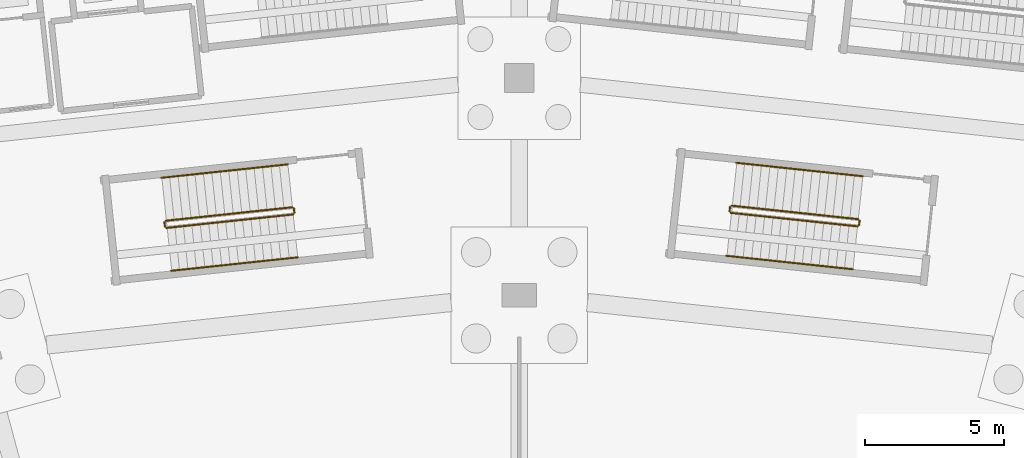
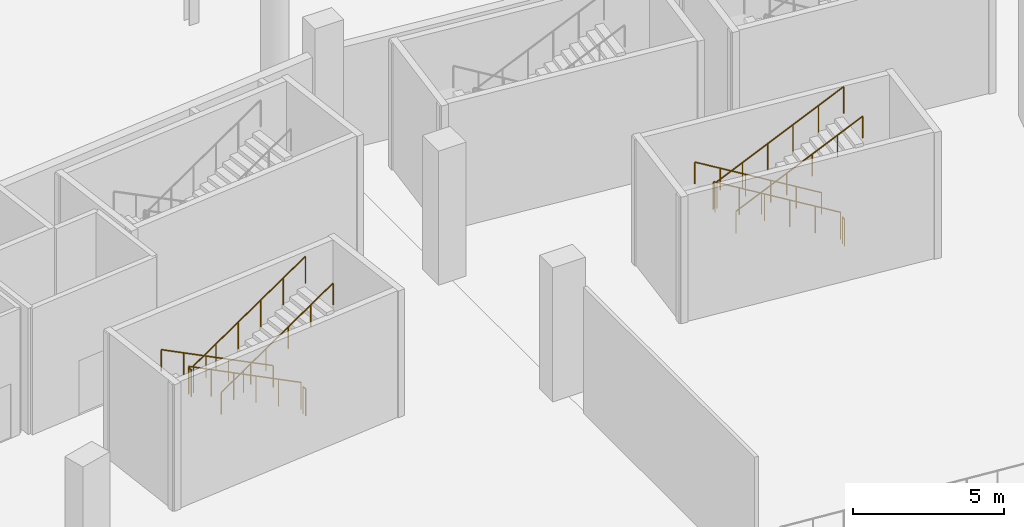
# One storey, part 92 of 103: 12 railings.
"""IFC4 building model written with IfcOpenShell, lengths in metres."""

from ifc_helpers import new_model, si_unit, direction, frame, origin, origin_2d, place, context, subcontext, project, spatial, circle, extrude, material, type_object, element, save


model = new_model("IFC4")

# Units and contexts
model_context = context("Model", 3, precision=1e-05, world=origin(), true_north=direction((0.0, 1.0)))
body_context = subcontext(model_context, "Body", "Model", "MODEL_VIEW")
ifc_project = project(units=[si_unit("LENGTHUNIT", "METRE"), si_unit("AREAUNIT", "SQUARE_METRE"), si_unit("VOLUMEUNIT", "CUBIC_METRE"), si_unit("PLANEANGLEUNIT", "RADIAN"), si_unit("MASSUNIT", "GRAM", prefix="KILO")], contexts=[model_context])

# Site, building, storey
site_placement = place(None, origin())
site = spatial("IfcSite", under=ifc_project, at=site_placement, CompositionType="ELEMENT")
building_placement = place(site_placement, origin())
building = spatial("IfcBuilding", under=site, at=building_placement, Name="Zevraka Park Crest Stadium", CompositionType="ELEMENT")
storey_placement = place(building_placement, origin())
storey = spatial("IfcBuildingStorey", under=building, at=storey_placement, Name="L00", CompositionType="ELEMENT", Elevation=0.0)

# Railings
ifc_material_1 = material(Name="Powder-coated tubular steel stairwell guard", Category="steel")
railing_type_1 = type_object("IfcRailingType", Name="GR03", PredefinedType="GUARDRAIL", material=ifc_material_1)
railing_1_placement = place(storey_placement, frame((124.17333984375, 154.2353515625, 0.168701171875)))
element("IfcRailing", 1, at=railing_1_placement, inside=storey, type_object=railing_type_1, Name="L00 ST35 stair guard 1", PredefinedType="GUARDRAIL", context=body_context, shape_type="SweptSolid", body=[
    extrude(circle(Radius=0.02392578125, at=origin_2d()), frame((0.0, 0.0, 1.076171875), z_axis=(-0.870085191111, 0.092639745581, 0.484117380135), x_axis=(-0.105873624194, -0.994379593365, 0.0)), (0.0, 0.0, 1.0), 5.228515625),
    extrude(circle(Radius=0.02099609375, at=origin_2d()), origin(), (0.0, 0.0, 1.0), 1.052001953125),
    extrude(circle(Radius=0.02099609375, at=origin_2d()), frame((-0.909912109375, 0.096923828125, 0.50634765625)), (0.0, 0.0, 1.0), 1.052001953125),
    extrude(circle(Radius=0.02099609375, at=origin_2d()), frame((-1.81982421875, 0.19384765625, 1.012451171875)), (0.0, 0.0, 1.0), 1.052001953125),
    extrude(circle(Radius=0.02099609375, at=origin_2d()), frame((-2.7294921875, 0.29052734375, 1.518798828125)), (0.0, 0.0, 1.0), 1.052001953125),
    extrude(circle(Radius=0.02099609375, at=origin_2d()), frame((-3.639404296875, 0.387451171875, 2.02490234375)), (0.0, 0.0, 1.0), 1.052001953125),
    extrude(circle(Radius=0.02099609375, at=origin_2d()), frame((-4.54931640625, 0.484375, 2.53125)), (0.0, 0.0, 1.0), 1.052001953125),
])
railing_2_placement = place(storey_placement, frame((119.569091796875, 154.67529296875, 2.699951171875)))
element("IfcRailing", 2, at=railing_2_placement, inside=storey, type_object=railing_type_1, Name="L00 ST35 stair guard 2", PredefinedType="GUARDRAIL", context=body_context, shape_type="SweptSolid", body=[
    extrude(circle(Radius=0.02392578125, at=origin_2d()), frame((0.0, 0.0, 1.076171875), z_axis=(-0.105240535143, -0.994446795843, 0.0), x_axis=(0.994446795843, -0.105240535143, 0.0)), (0.0, 0.0, 1.0), 0.16015625),
    extrude(circle(Radius=0.02099609375, at=origin_2d()), origin(), (0.0, 0.0, 1.0), 1.052001953125),
    extrude(circle(Radius=0.02099609375, at=origin_2d()), frame((-0.016845703125, -0.1591796875, 0.0)), (0.0, 0.0, 1.0), 1.052001953125),
])
railing_3_placement = place(storey_placement, frame((119.5966796875, 154.461181640625, 2.86865234375)))
element("IfcRailing", 3, at=railing_3_placement, inside=storey, type_object=railing_type_1, Name="L00 ST35 stair guard 3", PredefinedType="GUARDRAIL", context=body_context, shape_type="SweptSolid", body=[
    extrude(circle(Radius=0.02392578125, at=origin_2d()), frame((0.0, 0.0, 1.076171875), z_axis=(0.870085191111, -0.092639745581, 0.484117380135), x_axis=(0.105873624194, 0.994379593365, 0.0)), (0.0, 0.0, 1.0), 5.228515625),
    extrude(circle(Radius=0.02099609375, at=origin_2d()), origin(), (0.0, 0.0, 1.0), 1.052001953125),
    extrude(circle(Radius=0.02099609375, at=origin_2d()), frame((0.909912109375, -0.096923828125, 0.50634765625)), (0.0, 0.0, 1.0), 1.052001953125),
    extrude(circle(Radius=0.02099609375, at=origin_2d()), frame((1.81982421875, -0.19384765625, 1.012451171875)), (0.0, 0.0, 1.0), 1.052001953125),
    extrude(circle(Radius=0.02099609375, at=origin_2d()), frame((2.7294921875, -0.29052734375, 1.518798828125)), (0.0, 0.0, 1.0), 1.052001953125),
    extrude(circle(Radius=0.02099609375, at=origin_2d()), frame((3.639404296875, -0.387451171875, 2.02490234375)), (0.0, 0.0, 1.0), 1.052001953125),
    extrude(circle(Radius=0.02099609375, at=origin_2d()), frame((4.54931640625, -0.484375, 2.53125)), (0.0, 0.0, 1.0), 1.052001953125),
])
railing_4_placement = place(storey_placement, frame((124.2177734375, 154.180419921875, 0.0)))
element("IfcRailing", 4, at=railing_4_placement, inside=storey, type_object=railing_type_1, Name="L00 ST35 stair guard 4", PredefinedType="GUARDRAIL", context=body_context, shape_type="SweptSolid", body=[
    extrude(circle(Radius=0.02392578125, at=origin_2d()), frame((0.0, 0.0, 1.076171875), z_axis=(-0.105240535143, -0.994446795843, 0.0), x_axis=(0.994446795843, -0.105240535143, 0.0)), (0.0, 0.0, 1.0), 0.16015625),
    extrude(circle(Radius=0.02099609375, at=origin_2d()), origin(), (0.0, 0.0, 1.0), 1.052001953125),
    extrude(circle(Radius=0.02099609375, at=origin_2d()), frame((-0.016845703125, -0.1591796875, 0.0)), (0.0, 0.0, 1.0), 1.052001953125),
])
railing_5_placement = place(storey_placement, frame((103.854248046875, 154.66357421875, 0.168701171875)))
element("IfcRailing", 5, at=railing_5_placement, inside=storey, type_object=railing_type_1, Name="L00 ST36 stair guard 1", PredefinedType="GUARDRAIL", context=body_context, shape_type="SweptSolid", body=[
    extrude(circle(Radius=0.02392578125, at=origin_2d()), frame((0.0, 0.0, 1.076171875), z_axis=(-0.870088953885, -0.09259345259, 0.484119473751), x_axis=(0.105820858191, -0.994385210053, 0.0)), (0.0, 0.0, 1.0), 5.228515625),
    extrude(circle(Radius=0.02099609375, at=origin_2d()), origin(), (0.0, 0.0, 1.0), 1.052001953125),
    extrude(circle(Radius=0.02099609375, at=origin_2d()), frame((-0.909912109375, -0.096923828125, 0.50634765625)), (0.0, 0.0, 1.0), 1.052001953125),
    extrude(circle(Radius=0.02099609375, at=origin_2d()), frame((-1.81982421875, -0.193603515625, 1.012451171875)), (0.0, 0.0, 1.0), 1.052001953125),
    extrude(circle(Radius=0.02099609375, at=origin_2d()), frame((-2.7294921875, -0.29052734375, 1.518798828125)), (0.0, 0.0, 1.0), 1.052001953125),
    extrude(circle(Radius=0.02099609375, at=origin_2d()), frame((-3.639404296875, -0.38720703125, 2.02490234375)), (0.0, 0.0, 1.0), 1.052001953125),
    extrude(circle(Radius=0.02099609375, at=origin_2d()), frame((-4.54931640625, -0.484130859375, 2.53125)), (0.0, 0.0, 1.0), 1.052001953125),
])
railing_6_placement = place(storey_placement, frame((99.260498046875, 154.124267578125, 2.699951171875)))
element("IfcRailing", 6, at=railing_6_placement, inside=storey, type_object=railing_type_1, Name="L00 ST36 stair guard 2", PredefinedType="GUARDRAIL", context=body_context, shape_type="SweptSolid", body=[
    extrude(circle(Radius=0.02392578125, at=origin_2d()), frame((0.0, 0.0, 1.076171875), z_axis=(0.105400400395, -0.994429864594, 0.0), x_axis=(0.994429864594, 0.105400400395, 0.0)), (0.0, 0.0, 1.0), 0.159912109375),
    extrude(circle(Radius=0.02099609375, at=origin_2d()), origin(), (0.0, 0.0, 1.0), 1.052001953125),
    extrude(circle(Radius=0.02099609375, at=origin_2d()), frame((0.016845703125, -0.158935546875, 0.0)), (0.0, 0.0, 1.0), 1.052001953125),
])
railing_7_placement = place(storey_placement, frame((99.332275390625, 153.9208984375, 2.86865234375)))
element("IfcRailing", 7, at=railing_7_placement, inside=storey, type_object=railing_type_1, Name="L00 ST36 stair guard 3", PredefinedType="GUARDRAIL", context=body_context, shape_type="SweptSolid", body=[
    extrude(circle(Radius=0.02392578125, at=origin_2d()), frame((0.0, 0.0, 1.076171875), z_axis=(0.870088953885, 0.09259345259, 0.484119473751), x_axis=(-0.105820858191, 0.994385210053, 0.0)), (0.0, 0.0, 1.0), 5.228515625),
    extrude(circle(Radius=0.02099609375, at=origin_2d()), origin(), (0.0, 0.0, 1.0), 1.052001953125),
    extrude(circle(Radius=0.02099609375, at=origin_2d()), frame((0.909912109375, 0.096923828125, 0.50634765625)), (0.0, 0.0, 1.0), 1.052001953125),
    extrude(circle(Radius=0.02099609375, at=origin_2d()), frame((1.81982421875, 0.193603515625, 1.012451171875)), (0.0, 0.0, 1.0), 1.052001953125),
    extrude(circle(Radius=0.02099609375, at=origin_2d()), frame((2.7294921875, 0.29052734375, 1.518798828125)), (0.0, 0.0, 1.0), 1.052001953125),
    extrude(circle(Radius=0.02099609375, at=origin_2d()), frame((3.639404296875, 0.38720703125, 2.02490234375)), (0.0, 0.0, 1.0), 1.052001953125),
    extrude(circle(Radius=0.02099609375, at=origin_2d()), frame((4.54931640625, 0.484130859375, 2.53125)), (0.0, 0.0, 1.0), 1.052001953125),
])
railing_8_placement = place(storey_placement, frame((103.9091796875, 154.619140625, 0.0)))
element("IfcRailing", 8, at=railing_8_placement, inside=storey, type_object=railing_type_1, Name="L00 ST36 stair guard 4", PredefinedType="GUARDRAIL", context=body_context, shape_type="SweptSolid", body=[
    extrude(circle(Radius=0.02392578125, at=origin_2d()), frame((0.0, 0.0, 1.076171875), z_axis=(0.105400400395, -0.994429864594, 0.0), x_axis=(0.994429864594, 0.105400400395, 0.0)), (0.0, 0.0, 1.0), 0.159912109375),
    extrude(circle(Radius=0.02099609375, at=origin_2d()), origin(), (0.0, 0.0, 1.0), 1.052001953125),
    extrude(circle(Radius=0.02099609375, at=origin_2d()), frame((0.016845703125, -0.158935546875, 0.0)), (0.0, 0.0, 1.0), 1.052001953125),
])
ifc_material_2 = material(Name="Brushed stainless steel continuous handrail", Category="steel")
railing_type_2 = type_object("IfcRailingType", Name="HR01", PredefinedType="HANDRAIL", material=ifc_material_2)
railing_9_placement = place(storey_placement, frame((124.33740234375, 155.776611328125, 0.168701171875)))
element("IfcRailing", 9, at=railing_9_placement, inside=storey, type_object=railing_type_2, Name="L00 ST35 stair handrail 1", PredefinedType="HANDRAIL", context=body_context, shape_type="SweptSolid", body=[
    extrude(circle(Radius=0.02392578125, at=origin_2d()), frame((0.0, 0.0, 0.8759765625), z_axis=(-0.870085191111, 0.092639745581, 0.484117380135), x_axis=(-0.105873624194, -0.994379593365, 0.0)), (0.0, 0.0, 1.0), 5.228515625),
    extrude(circle(Radius=0.02099609375, at=origin_2d()), origin(), (0.0, 0.0, 1.0), 0.851806640625),
    extrude(circle(Radius=0.02099609375, at=origin_2d()), frame((-0.909912109375, 0.096923828125, 0.50634765625)), (0.0, 0.0, 1.0), 0.851806640625),
    extrude(circle(Radius=0.02099609375, at=origin_2d()), frame((-1.81982421875, 0.19384765625, 1.012451171875)), (0.0, 0.0, 1.0), 0.851806640625),
    extrude(circle(Radius=0.02099609375, at=origin_2d()), frame((-2.7294921875, 0.29052734375, 1.518798828125)), (0.0, 0.0, 1.0), 0.851806640625),
    extrude(circle(Radius=0.02099609375, at=origin_2d()), frame((-3.639404296875, 0.387451171875, 2.02490234375)), (0.0, 0.0, 1.0), 0.851806640625),
    extrude(circle(Radius=0.02099609375, at=origin_2d()), frame((-4.54931640625, 0.484375, 2.53125)), (0.0, 0.0, 1.0), 0.851806640625),
])
railing_10_placement = place(storey_placement, frame((119.4326171875, 152.919677734375, 2.86865234375)))
element("IfcRailing", 10, at=railing_10_placement, inside=storey, type_object=railing_type_2, Name="L00 ST35 stair handrail 2", PredefinedType="HANDRAIL", context=body_context, shape_type="SweptSolid", body=[
    extrude(circle(Radius=0.02392578125, at=origin_2d()), frame((0.0, 0.0, 0.8759765625), z_axis=(0.870077609202, -0.092597214568, 0.484139143037), x_axis=(0.105826473807, 0.994384612432, 0.0)), (0.0, 0.0, 1.0), 5.228271484375),
    extrude(circle(Radius=0.02099609375, at=origin_2d()), origin(), (0.0, 0.0, 1.0), 0.851806640625),
    extrude(circle(Radius=0.02099609375, at=origin_2d()), frame((0.909912109375, -0.096923828125, 0.50634765625)), (0.0, 0.0, 1.0), 0.851806640625),
    extrude(circle(Radius=0.02099609375, at=origin_2d()), frame((1.819580078125, -0.193603515625, 1.012451171875)), (0.0, 0.0, 1.0), 0.851806640625),
    extrude(circle(Radius=0.02099609375, at=origin_2d()), frame((2.7294921875, -0.29052734375, 1.518798828125)), (0.0, 0.0, 1.0), 0.851806640625),
    extrude(circle(Radius=0.02099609375, at=origin_2d()), frame((3.63916015625, -0.38720703125, 2.02490234375)), (0.0, 0.0, 1.0), 0.851806640625),
    extrude(circle(Radius=0.02099609375, at=origin_2d()), frame((4.549072265625, -0.484130859375, 2.53125)), (0.0, 0.0, 1.0), 0.851806640625),
])
railing_11_placement = place(storey_placement, frame((103.68994140625, 156.204833984375, 0.168701171875)))
element("IfcRailing", 11, at=railing_11_placement, inside=storey, type_object=railing_type_2, Name="L00 ST36 stair handrail 1", PredefinedType="HANDRAIL", context=body_context, shape_type="SweptSolid", body=[
    extrude(circle(Radius=0.02392578125, at=origin_2d()), frame((0.0, 0.0, 0.8759765625), z_axis=(-0.870077609202, -0.092597214568, 0.484139143037), x_axis=(0.105826473807, -0.994384612432, 0.0)), (0.0, 0.0, 1.0), 5.228271484375),
    extrude(circle(Radius=0.02099609375, at=origin_2d()), origin(), (0.0, 0.0, 1.0), 0.851806640625),
    extrude(circle(Radius=0.02099609375, at=origin_2d()), frame((-0.909912109375, -0.096923828125, 0.50634765625)), (0.0, 0.0, 1.0), 0.851806640625),
    extrude(circle(Radius=0.02099609375, at=origin_2d()), frame((-1.819580078125, -0.193603515625, 1.012451171875)), (0.0, 0.0, 1.0), 0.851806640625),
    extrude(circle(Radius=0.02099609375, at=origin_2d()), frame((-2.7294921875, -0.29052734375, 1.518798828125)), (0.0, 0.0, 1.0), 0.851806640625),
    extrude(circle(Radius=0.02099609375, at=origin_2d()), frame((-3.63916015625, -0.38720703125, 2.02490234375)), (0.0, 0.0, 1.0), 0.851806640625),
    extrude(circle(Radius=0.02099609375, at=origin_2d()), frame((-4.549072265625, -0.484130859375, 2.53125)), (0.0, 0.0, 1.0), 0.851806640625),
])
railing_12_placement = place(storey_placement, frame((99.496337890625, 152.379638671875, 2.86865234375)))
element("IfcRailing", 12, at=railing_12_placement, inside=storey, type_object=railing_type_2, Name="L00 ST36 stair handrail 2", PredefinedType="HANDRAIL", context=body_context, shape_type="SweptSolid", body=[
    extrude(circle(Radius=0.02392578125, at=origin_2d()), frame((0.0, 0.0, 0.8759765625), z_axis=(0.870088953885, 0.09259345259, 0.484119473751), x_axis=(-0.105820858191, 0.994385210053, 0.0)), (0.0, 0.0, 1.0), 5.228515625),
    extrude(circle(Radius=0.02099609375, at=origin_2d()), origin(), (0.0, 0.0, 1.0), 0.851806640625),
    extrude(circle(Radius=0.02099609375, at=origin_2d()), frame((0.909912109375, 0.096923828125, 0.50634765625)), (0.0, 0.0, 1.0), 0.851806640625),
    extrude(circle(Radius=0.02099609375, at=origin_2d()), frame((1.81982421875, 0.193603515625, 1.012451171875)), (0.0, 0.0, 1.0), 0.851806640625),
    extrude(circle(Radius=0.02099609375, at=origin_2d()), frame((2.7294921875, 0.29052734375, 1.518798828125)), (0.0, 0.0, 1.0), 0.851806640625),
    extrude(circle(Radius=0.02099609375, at=origin_2d()), frame((3.639404296875, 0.38720703125, 2.02490234375)), (0.0, 0.0, 1.0), 0.851806640625),
    extrude(circle(Radius=0.02099609375, at=origin_2d()), frame((4.54931640625, 0.484130859375, 2.53125)), (0.0, 0.0, 1.0), 0.851806640625),
])

save(model, "model.ifc")
